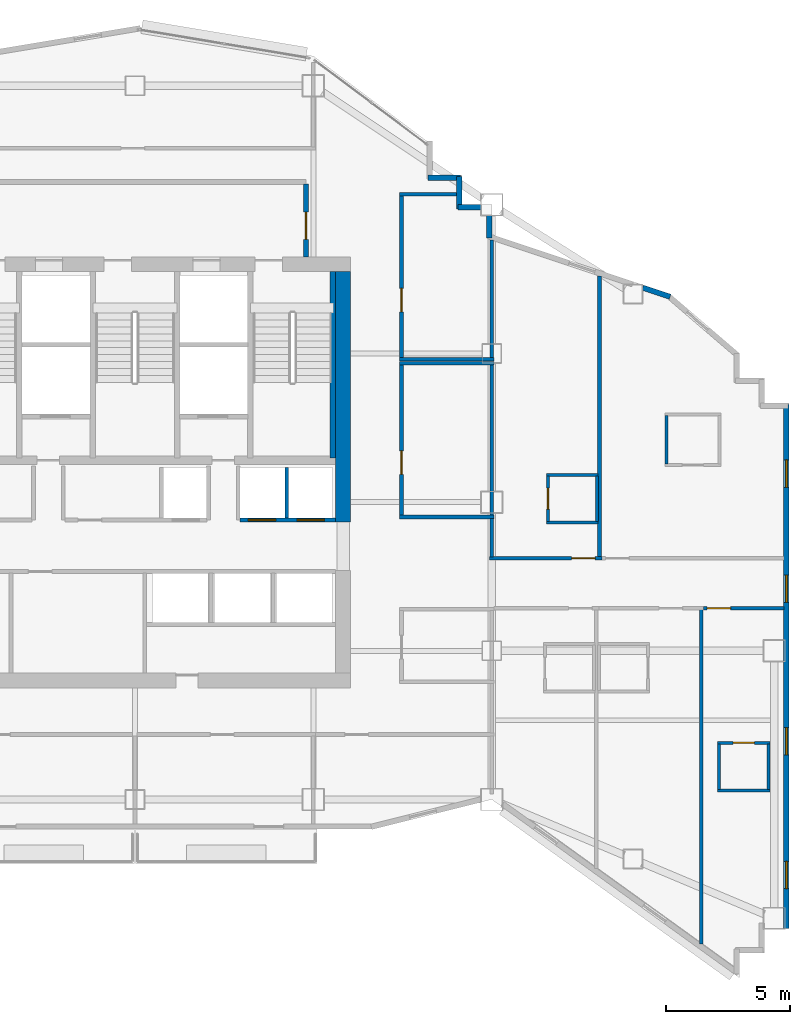
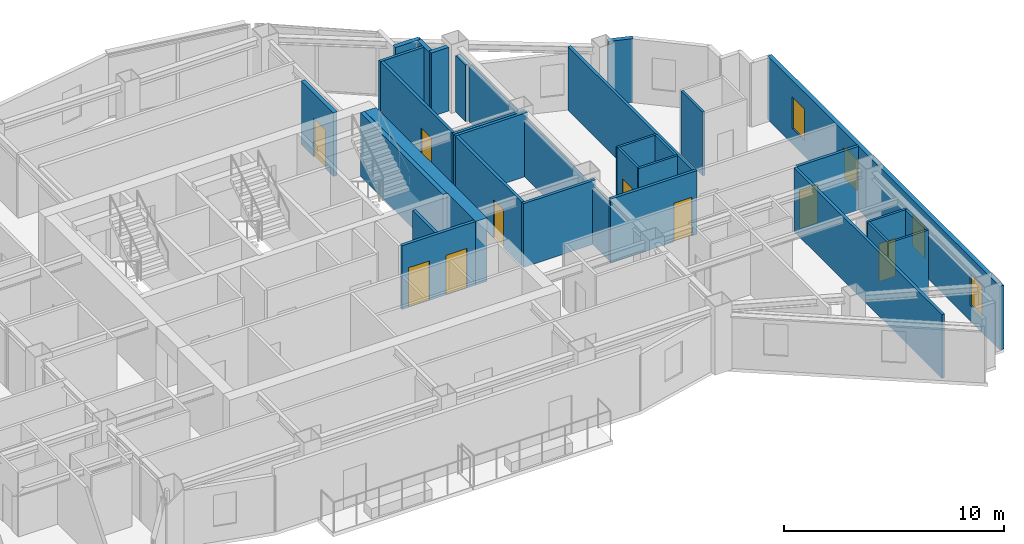
# One storey, part 8 of 12: 33 walls, 9 doors, 4 windows, 13 openings.
"""IFC4 building model written with IfcOpenShell, lengths in metres."""

from ifc_helpers import new_model, si_unit, direction, frame, frame_2d, origin, place, context, subcontext, project, spatial, rectangle, extrude, material, layer, layer_set, type_object, element, fill, save


model = new_model("IFC4")

# Units and contexts
model_context = context("Model", 3, precision=1e-05, world=origin(), true_north=direction((0.0, 1.0)))
body_context = subcontext(model_context, "Body", "Model", "MODEL_VIEW")
ifc_project = project(units=[si_unit("LENGTHUNIT", "METRE"), si_unit("AREAUNIT", "SQUARE_METRE"), si_unit("VOLUMEUNIT", "CUBIC_METRE"), si_unit("PLANEANGLEUNIT", "RADIAN"), si_unit("MASSUNIT", "GRAM", prefix="KILO")], contexts=[model_context])

# Site, building, storey
site_placement = place(None, origin())
site = spatial("IfcSite", under=ifc_project, at=site_placement, CompositionType="ELEMENT")
building_placement = place(site_placement, origin())
building = spatial("IfcBuilding", under=site, at=building_placement, Name="Haolan Belvedere Tower", CompositionType="ELEMENT")
storey_placement = place(building_placement, frame((0.0, 0.0, 203.199951171875)))
storey = spatial("IfcBuildingStorey", under=building, at=storey_placement, Name="L51", CompositionType="ELEMENT", Elevation=203.199951171875)

# Wall
ifc_material_1 = material(Name="Concrete C60/75", Category="concrete")
ifc_layer_1 = layer(ifc_material_1, 0.60009765625, Name="Concrete C60/75")
ifc_layer_set_1 = layer_set([ifc_layer_1], Name="Concrete C60/75")
wall_type_1 = type_object("IfcWallType", Name="WL-CORE-600", PredefinedType="SHEAR", material=ifc_layer_set_1)
wall_1_placement = place(storey_placement, frame((46.800048828125, 32.800048828125, 0.0), z_axis=(0.0, 0.0, 1.0), x_axis=(0.0, 1.0, 0.0)))
element("IfcWall", 1, at=wall_1_placement, inside=storey, type_object=wall_type_1, Name="L51 central core shear wall EN", PredefinedType="SHEAR", context=body_context, shape_type="SweptSolid", body=[
    extrude(rectangle(XDim=10.099853515625, YDim=0.60009765625, at=frame_2d((5.0498046875, 0.0))), origin(), (0.0, 0.0, 1.0), 3.5400390625),
])

# Wall, openings, windows
ifc_material_2 = material(Name="Precast concrete C40/50", Category="concrete")
ifc_layer_2 = layer(ifc_material_2, 0.219970703125, Name="Precast concrete C40/50")
ifc_layer_set_2 = layer_set([ifc_layer_2], Name="Precast concrete C40/50")
wall_type_2 = type_object("IfcWallType", Name="WL-EXT-220", PredefinedType="SOLIDWALL", material=ifc_layer_set_2)
wall_2_placement = place(storey_placement, frame((64.68994140625, 16.39990234375, 0.0), z_axis=(0.0, 0.0, 1.0), x_axis=(0.0, 1.0, 0.0)))
wall_2 = element("IfcWall", 2, at=wall_2_placement, inside=storey, type_object=wall_type_2, Name="L51 pale-metal exterior spandrel wall 8.1", PredefinedType="SOLIDWALL", context=body_context, shape_type="SweptSolid", body=[
    extrude(rectangle(XDim=21.14501953125, YDim=0.219970703125, at=frame_2d((10.572509765625, 0.0))), origin(), (0.0, 0.0, 1.0), 3.5400390625),
])
opening_1_placement = place(wall_2_placement, frame((1.60009765625, 0.0, 0.85009765625)))
opening_1 = element("IfcOpeningElement", 3, at=opening_1_placement, cuts=wall_2, Name="Opening W-03", PredefinedType="OPENING", context=body_context, shape_type="SweptSolid", body=[
    extrude(rectangle(XDim=1.10009765625, YDim=1.75, at=frame_2d((0.550048828125, 0.875))), frame((0.0, 0.119873046875, 0.0), z_axis=(0.0, -1.0, 0.0), x_axis=(1.0, 0.0, 0.0)), (0.0, 0.0, 1.0), 0.239990234375),
])
opening_2_placement = place(wall_2_placement, frame((7.0, 0.0, 0.85009765625)))
opening_2 = element("IfcOpeningElement", 4, at=opening_2_placement, cuts=wall_2, Name="Opening W-03", PredefinedType="OPENING", context=body_context, shape_type="SweptSolid", body=[
    extrude(rectangle(XDim=1.10009765625, YDim=1.75, at=frame_2d((0.550048828125, 0.875))), frame((0.0, 0.119873046875, 0.0), z_axis=(0.0, -1.0, 0.0), x_axis=(1.0, 0.0, 0.0)), (0.0, 0.0, 1.0), 0.239990234375),
])
opening_3_placement = place(wall_2_placement, frame((13.155029296875, 0.0, 0.85009765625)))
opening_3 = element("IfcOpeningElement", 5, at=opening_3_placement, cuts=wall_2, Name="Opening W-03", PredefinedType="OPENING", context=body_context, shape_type="SweptSolid", body=[
    extrude(rectangle(XDim=1.10009765625, YDim=1.75, at=frame_2d((0.550048828125, 0.875))), frame((0.0, 0.119873046875, 0.0), z_axis=(0.0, -1.0, 0.0), x_axis=(1.0, 0.0, 0.0)), (0.0, 0.0, 1.0), 0.239990234375),
])
opening_4_placement = place(wall_2_placement, frame((17.800048828125, 0.0, 0.85009765625)))
opening_4 = element("IfcOpeningElement", 6, at=opening_4_placement, cuts=wall_2, Name="Opening W-03", PredefinedType="OPENING", context=body_context, shape_type="SweptSolid", body=[
    extrude(rectangle(XDim=1.10009765625, YDim=1.75, at=frame_2d((0.550048828125, 0.875))), frame((0.0, 0.119873046875, 0.0), z_axis=(0.0, -1.0, 0.0), x_axis=(1.0, 0.0, 0.0)), (0.0, 0.0, 1.0), 0.239990234375),
])
ifc_material_3 = material(Name="Anodised aluminium 6063-T6 and Low-E glass", Category="aluminium")
window_type = type_object("IfcWindowType", Name="WN-DECO-Z3", PartitioningType="SINGLE_PANEL", PredefinedType="WINDOW", material=ifc_material_3)
window_1_placement = place(opening_1_placement, origin())
window_1 = element("IfcWindow", 7, at=window_1_placement, inside=storey, type_object=window_type, Name="L51 Art Deco chevron window 1", OverallHeight=1.75, OverallWidth=1.10009765625, PartitioningType="SINGLE_PANEL", PredefinedType="WINDOW", context=body_context, shape_type="SweptSolid", body=[
    extrude(rectangle(XDim=1.10009765625, YDim=1.75, at=frame_2d((0.550048828125, 0.875))), frame((0.0, 0.030029296875, 0.0), z_axis=(0.0, -1.0, 0.0), x_axis=(1.0, 0.0, 0.0)), (0.0, 0.0, 1.0), 0.06005859375),
])
fill(opening_1, window_1)
window_2_placement = place(opening_2_placement, origin())
window_2 = element("IfcWindow", 8, at=window_2_placement, inside=storey, type_object=window_type, Name="L51 Art Deco chevron window 2", OverallHeight=1.75, OverallWidth=1.10009765625, PartitioningType="SINGLE_PANEL", PredefinedType="WINDOW", context=body_context, shape_type="SweptSolid", body=[
    extrude(rectangle(XDim=1.10009765625, YDim=1.75, at=frame_2d((0.550048828125, 0.875))), frame((0.0, 0.030029296875, 0.0), z_axis=(0.0, -1.0, 0.0), x_axis=(1.0, 0.0, 0.0)), (0.0, 0.0, 1.0), 0.06005859375),
])
fill(opening_2, window_2)
window_3_placement = place(opening_3_placement, origin())
window_3 = element("IfcWindow", 9, at=window_3_placement, inside=storey, type_object=window_type, Name="L51 Art Deco chevron window 3", OverallHeight=1.75, OverallWidth=1.10009765625, PartitioningType="SINGLE_PANEL", PredefinedType="WINDOW", context=body_context, shape_type="SweptSolid", body=[
    extrude(rectangle(XDim=1.10009765625, YDim=1.75, at=frame_2d((0.550048828125, 0.875))), frame((0.0, 0.030029296875, 0.0), z_axis=(0.0, -1.0, 0.0), x_axis=(1.0, 0.0, 0.0)), (0.0, 0.0, 1.0), 0.06005859375),
])
fill(opening_3, window_3)
window_4_placement = place(opening_4_placement, origin())
window_4 = element("IfcWindow", 10, at=window_4_placement, inside=storey, type_object=window_type, Name="L51 Art Deco chevron window 4", OverallHeight=1.75, OverallWidth=1.10009765625, PartitioningType="SINGLE_PANEL", PredefinedType="WINDOW", context=body_context, shape_type="SweptSolid", body=[
    extrude(rectangle(XDim=1.10009765625, YDim=1.75, at=frame_2d((0.550048828125, 0.875))), frame((0.0, 0.030029296875, 0.0), z_axis=(0.0, -1.0, 0.0), x_axis=(1.0, 0.0, 0.0)), (0.0, 0.0, 1.0), 0.06005859375),
])
fill(opening_4, window_4)

# Walls
wall_3_placement = place(storey_placement, frame((59.9970703125, 41.885009765625, 0.0), z_axis=(0.0, 0.0, 1.0), x_axis=(-0.948662335685, 0.316290646166, 0.0)))
element("IfcWall", 11, at=wall_3_placement, inside=storey, type_object=wall_type_2, Name="L51 pale-metal exterior spandrel wall 14.1", PredefinedType="SOLIDWALL", context=body_context, shape_type="SweptSolid", body=[
    extrude(rectangle(XDim=1.164794921875, YDim=0.219970703125, at=frame_2d((0.58251953125, 0.0))), origin(), (0.0, 0.0, 1.0), 3.5400390625),
])
wall_4_placement = place(storey_placement, frame((52.68994140625, 44.265625, 0.0), z_axis=(0.0, 0.0, 1.0), x_axis=(0.0, 1.0, 0.0)))
element("IfcWall", 12, at=wall_4_placement, inside=storey, type_object=wall_type_2, Name="L51 pale-metal exterior spandrel wall 15.1", PredefinedType="SOLIDWALL", context=body_context, shape_type="SweptSolid", body=[
    extrude(rectangle(XDim=0.892333984375, YDim=0.219970703125, at=frame_2d((0.4462890625, 0.0))), origin(), (0.0, 0.0, 1.0), 3.135009765625),
])
wall_5_placement = place(storey_placement, frame((52.35791015625, 45.489990234375, 0.0), z_axis=(0.0, 0.0, 1.0), x_axis=(-1.0, 0.0, 0.0)))
element("IfcWall", 13, at=wall_5_placement, inside=storey, type_object=wall_type_2, Name="L51 pale-metal exterior spandrel wall 16.1", PredefinedType="SOLIDWALL", context=body_context, shape_type="SweptSolid", body=[
    extrude(rectangle(XDim=0.9228515625, YDim=0.219970703125, at=frame_2d((0.46142578125, 0.0))), origin(), (0.0, 0.0, 1.0), 3.5400390625),
])
wall_6_placement = place(storey_placement, frame((51.489990234375, 45.43505859375, 0.0), z_axis=(0.0, 0.0, 1.0), x_axis=(0.0, 1.0, 0.0)))
element("IfcWall", 14, at=wall_6_placement, inside=storey, type_object=wall_type_2, Name="L51 pale-metal exterior spandrel wall 17.1", PredefinedType="SOLIDWALL", context=body_context, shape_type="SweptSolid", body=[
    extrude(rectangle(XDim=1.31005859375, YDim=0.219970703125, at=frame_2d((0.655029296875, 0.0))), origin(), (0.0, 0.0, 1.0), 3.5400390625),
])
wall_7_placement = place(storey_placement, frame((51.544921875, 46.68994140625, 0.0), z_axis=(0.0, 0.0, 1.0), x_axis=(-1.0, 0.0, 0.0)))
element("IfcWall", 15, at=wall_7_placement, inside=storey, type_object=wall_type_2, Name="L51 pale-metal exterior spandrel wall 18.1", PredefinedType="SOLIDWALL", context=body_context, shape_type="SweptSolid", body=[
    extrude(rectangle(XDim=1.309814453125, YDim=0.219970703125, at=frame_2d((0.65478515625, 0.0))), origin(), (0.0, 0.0, 1.0), 3.5400390625),
])

# Wall, opening, door
ifc_material_4 = material(Name="Concrete C40/50", Category="concrete")
ifc_layer_3 = layer(ifc_material_4, 0.199951171875, Name="Concrete C40/50")
ifc_layer_set_3 = layer_set([ifc_layer_3], Name="Concrete C40/50")
wall_type_3 = type_object("IfcWallType", Name="WL-FIRE-200", PredefinedType="SOLIDWALL", material=ifc_layer_set_3)
wall_8_placement = place(storey_placement, frame((45.300048828125, 43.5, 0.0), z_axis=(0.0, 0.0, 1.0), x_axis=(0.0, 1.0, 0.0)))
wall_8 = element("IfcWall", 16, at=wall_8_placement, inside=storey, type_object=wall_type_3, Name="L51 interior partition IW-L51-FFL-E", PredefinedType="SOLIDWALL", context=body_context, shape_type="SweptSolid", body=[
    extrude(rectangle(XDim=2.93505859375, YDim=0.199951171875, at=frame_2d((1.467529296875, 0.0))), origin(), (0.0, 0.0, 1.0), 3.5400390625),
])
opening_5_placement = place(wall_8_placement, frame((0.699951171875, 0.0, 0.0)))
opening_5 = element("IfcOpeningElement", 17, at=opening_5_placement, cuts=wall_8, Name="Opening FD-03", PredefinedType="OPENING", context=body_context, shape_type="SweptSolid", body=[
    extrude(rectangle(XDim=1.10009765625, YDim=2.14990234375, at=frame_2d((0.550048828125, 1.074951171875))), frame((0.0, 0.10986328125, 0.0), z_axis=(0.0, -1.0, 0.0), x_axis=(1.0, 0.0, 0.0)), (0.0, 0.0, 1.0), 0.219970703125),
])
ifc_material_5 = material(Name="Galvanised fire-rated steel", Category="steel")
door_type_1 = type_object("IfcDoorType", Name="DR-FD90-1100", OperationType="NOTDEFINED", PredefinedType="DOOR", material=ifc_material_5)
door_1_placement = place(opening_5_placement, origin())
door_1 = element("IfcDoor", 18, at=door_1_placement, inside=storey, type_object=door_type_1, Name="L51 door ID-L51-FFL-DE", OperationType="SINGLE_SWING_RIGHT", OverallHeight=2.14990234375, OverallWidth=1.10009765625, PredefinedType="DOOR", context=body_context, shape_type="SweptSolid", body=[
    extrude(rectangle(XDim=1.10009765625, YDim=2.14990234375, at=frame_2d((0.550048828125, 1.074951171875))), frame((0.0, 0.02490234375, 0.0), z_axis=(0.0, -1.0, 0.0), x_axis=(1.0, 0.0, 0.0)), (0.0, 0.0, 1.0), 0.050048828125),
])
fill(opening_5, door_1)

# Walls
ifc_material_6 = material(Name="Double gypsum acoustic stud partition", Category="masonry")
ifc_layer_4 = layer(ifc_material_6, 0.14990234375, Name="Double gypsum acoustic stud partition")
ifc_layer_set_4 = layer_set([ifc_layer_4], Name="Double gypsum acoustic stud partition")
wall_type_4 = type_object("IfcWallType", Name="WL-PART-150", PredefinedType="PARTITIONING", material=ifc_layer_set_4)
for number, where, z_axis, x_axis, name in (
    (19, (49.080078125, 39.199951171875, 0.0), (0.0, 0.0, 1.0), (1.0, 0.0, 0.0), "L51 interior partition IW-L51-HSK-N"),
    (20, (49.080078125, 33.0, 0.0), (0.0, 0.0, 1.0), (1.0, 0.0, 0.0), "L51 interior partition IW-L51-HSK-S"),
):
    element("IfcWall", number, at=place(storey_placement, frame(where, z_axis=z_axis, x_axis=x_axis)), inside=storey, type_object=wall_type_4, Name=name, PredefinedType="PARTITIONING", context=body_context, shape_type="SweptSolid", body=[
        extrude(rectangle(XDim=3.7998046875, YDim=0.14990234375, at=frame_2d((1.89990234375, 0.0))), origin(), (0.0, 0.0, 1.0), 3.5400390625),
    ])

# Wall, opening, door
wall_9_placement = place(storey_placement, frame((49.159912109375, 33.06005859375, 0.0), z_axis=(0.0, 0.0, 1.0), x_axis=(0.0, 1.0, 0.0)))
wall_9 = element("IfcWall", 21, at=wall_9_placement, inside=storey, type_object=wall_type_4, Name="L51 interior partition IW-L51-HSK-W", PredefinedType="PARTITIONING", context=body_context, shape_type="SweptSolid", body=[
    extrude(rectangle(XDim=6.079833984375, YDim=0.14990234375, at=frame_2d((3.0400390625, 0.0))), origin(), (0.0, 0.0, 1.0), 3.5400390625),
])
opening_6_placement = place(wall_9_placement, frame((1.659912109375, 0.0, 0.0)))
opening_6 = element("IfcOpeningElement", 22, at=opening_6_placement, cuts=wall_9, Name="Opening ID-03", PredefinedType="OPENING", context=body_context, shape_type="SweptSolid", body=[
    extrude(rectangle(XDim=0.949951171875, YDim=2.1201171875, at=frame_2d((0.47509765625, 1.06005859375))), frame((0.0, 0.0849609375, 0.0), z_axis=(0.0, -1.0, 0.0), x_axis=(1.0, 0.0, 0.0)), (0.0, 0.0, 1.0), 0.169921875),
])
ifc_material_7 = material(Name="Painted solid-core timber", Category="wood")
door_type_2 = type_object("IfcDoorType", Name="DR-INT-950", OperationType="NOTDEFINED", PredefinedType="DOOR", material=ifc_material_7)
door_2_placement = place(opening_6_placement, origin())
door_2 = element("IfcDoor", 23, at=door_2_placement, inside=storey, type_object=door_type_2, Name="L51 door ID-L51-HSK", OperationType="SINGLE_SWING_RIGHT", OverallHeight=2.1201171875, OverallWidth=0.949951171875, PredefinedType="DOOR", context=body_context, shape_type="SweptSolid", body=[
    extrude(rectangle(XDim=0.949951171875, YDim=2.1201171875, at=frame_2d((0.47509765625, 1.06005859375))), frame((0.0, 0.02490234375, 0.0), z_axis=(0.0, -1.0, 0.0), x_axis=(1.0, 0.0, 0.0)), (0.0, 0.0, 1.0), 0.050048828125),
])
fill(opening_6, door_2)

# Walls
wall_10_placement = place(storey_placement, frame((52.800048828125, 33.06005859375, 0.0), z_axis=(0.0, 0.0, 1.0), x_axis=(0.0, 1.0, 0.0)))
element("IfcWall", 24, at=wall_10_placement, inside=storey, type_object=wall_type_4, Name="L51 interior partition IW-L51-HSK-E", PredefinedType="PARTITIONING", context=body_context, shape_type="SweptSolid", body=[
    extrude(rectangle(XDim=6.079833984375, YDim=0.14990234375, at=frame_2d((3.0400390625, 0.0))), origin(), (0.0, 0.0, 1.0), 3.135009765625),
])
wall_11_placement = place(storey_placement, frame((49.080078125, 46.02001953125, 0.0), z_axis=(0.0, 0.0, 1.0), x_axis=(1.0, 0.0, 0.0)))
element("IfcWall", 25, at=wall_11_placement, inside=storey, type_object=wall_type_4, Name="L51 interior partition IW-L51-MTG-N", PredefinedType="PARTITIONING", context=body_context, shape_type="SweptSolid", body=[
    extrude(rectangle(XDim=2.307861328125, YDim=0.14990234375, at=frame_2d((1.15380859375, 0.0))), origin(), (0.0, 0.0, 1.0), 3.5400390625),
])
wall_12_placement = place(storey_placement, frame((49.080078125, 39.360107421875, 0.0), z_axis=(0.0, 0.0, 1.0), x_axis=(1.0, 0.0, 0.0)))
element("IfcWall", 26, at=wall_12_placement, inside=storey, type_object=wall_type_4, Name="L51 interior partition IW-L51-MTG-S", PredefinedType="PARTITIONING", context=body_context, shape_type="SweptSolid", body=[
    extrude(rectangle(XDim=3.7998046875, YDim=0.14990234375, at=frame_2d((1.89990234375, 0.0))), origin(), (0.0, 0.0, 1.0), 3.5400390625),
])

# Wall, opening, door
wall_13_placement = place(storey_placement, frame((49.159912109375, 39.419921875, 0.0), z_axis=(0.0, 0.0, 1.0), x_axis=(0.0, 1.0, 0.0)))
wall_13 = element("IfcWall", 27, at=wall_13_placement, inside=storey, type_object=wall_type_4, Name="L51 interior partition IW-L51-MTG-W", PredefinedType="PARTITIONING", context=body_context, shape_type="SweptSolid", body=[
    extrude(rectangle(XDim=6.5400390625, YDim=0.14990234375, at=frame_2d((3.27001953125, 0.0))), origin(), (0.0, 0.0, 1.0), 3.5400390625),
])
opening_7_placement = place(wall_13_placement, frame((1.860107421875, 0.0, 0.0)))
opening_7 = element("IfcOpeningElement", 28, at=opening_7_placement, cuts=wall_13, Name="Opening ID-03", PredefinedType="OPENING", context=body_context, shape_type="SweptSolid", body=[
    extrude(rectangle(XDim=0.949951171875, YDim=2.1201171875, at=frame_2d((0.47509765625, 1.06005859375))), frame((0.0, 0.0849609375, 0.0), z_axis=(0.0, -1.0, 0.0), x_axis=(1.0, 0.0, 0.0)), (0.0, 0.0, 1.0), 0.169921875),
])
door_3_placement = place(opening_7_placement, origin())
door_3 = element("IfcDoor", 29, at=door_3_placement, inside=storey, type_object=door_type_2, Name="L51 door ID-L51-MTG", OperationType="SINGLE_SWING_LEFT", OverallHeight=2.1201171875, OverallWidth=0.949951171875, PredefinedType="DOOR", context=body_context, shape_type="SweptSolid", body=[
    extrude(rectangle(XDim=0.949951171875, YDim=2.1201171875, at=frame_2d((0.47509765625, 1.06005859375))), frame((0.0, 0.02490234375, 0.0), z_axis=(0.0, -1.0, 0.0), x_axis=(1.0, 0.0, 0.0)), (0.0, 0.0, 1.0), 0.050048828125),
])
fill(opening_7, door_3)

# Wall
wall_14_placement = place(storey_placement, frame((52.800048828125, 39.419921875, 0.0), z_axis=(0.0, 0.0, 1.0), x_axis=(0.0, 1.0, 0.0)))
element("IfcWall", 30, at=wall_14_placement, inside=storey, type_object=wall_type_4, Name="L51 interior partition IW-L51-MTG-E", PredefinedType="PARTITIONING", context=body_context, shape_type="SweptSolid", body=[
    extrude(rectangle(XDim=4.756591796875, YDim=0.14990234375, at=frame_2d((2.37841796875, 0.0))), origin(), (0.0, 0.0, 1.0), 3.135009765625),
])

# Wall, opening, door
wall_15_placement = place(storey_placement, frame((52.699951171875, 31.330078125, 0.0), z_axis=(0.0, 0.0, 1.0), x_axis=(1.0, 0.0, 0.0)))
wall_15 = element("IfcWall", 31, at=wall_15_placement, inside=storey, type_object=wall_type_4, Name="L51 interior partition IW-L51-T4N1-S", PredefinedType="PARTITIONING", context=body_context, shape_type="SweptSolid", body=[
    extrude(rectangle(XDim=4.550048828125, YDim=0.14990234375, at=frame_2d((2.27490234375, 0.0))), origin(), (0.0, 0.0, 1.0), 3.5400390625),
])
opening_8_placement = place(wall_15_placement, frame((3.322998046875, 0.0, 0.0)))
opening_8 = element("IfcOpeningElement", 32, at=opening_8_placement, cuts=wall_15, Name="Opening ID-02", PredefinedType="OPENING", context=body_context, shape_type="SweptSolid", body=[
    extrude(rectangle(XDim=0.949951171875, YDim=2.14990234375, at=frame_2d((0.47509765625, 1.074951171875))), frame((0.0, 0.0849609375, 0.0), z_axis=(0.0, -1.0, 0.0), x_axis=(1.0, 0.0, 0.0)), (0.0, 0.0, 1.0), 0.169921875),
])
ifc_material_8 = material(Name="Acoustic oak veneer fire-rated timber", Category="wood")
door_type_3 = type_object("IfcDoorType", Name="DR-GUEST-950", OperationType="NOTDEFINED", PredefinedType="DOOR", material=ifc_material_8)
door_4_placement = place(opening_8_placement, origin())
door_4 = element("IfcDoor", 33, at=door_4_placement, inside=storey, type_object=door_type_3, Name="L51 door ID-L51-T4N1-ENT", OperationType="SINGLE_SWING_RIGHT", OverallHeight=2.14990234375, OverallWidth=0.949951171875, PredefinedType="DOOR", context=body_context, shape_type="SweptSolid", body=[
    extrude(rectangle(XDim=0.949951171875, YDim=2.14990234375, at=frame_2d((0.47509765625, 1.074951171875))), frame((0.0, 0.02490234375, 0.0), z_axis=(0.0, -1.0, 0.0), x_axis=(1.0, 0.0, 0.0)), (0.0, 0.0, 1.0), 0.050048828125),
])
fill(opening_8, door_4)

# Walls
wall_16_placement = place(storey_placement, frame((52.800048828125, 31.389892578125, 0.0), z_axis=(0.0, 0.0, 1.0), x_axis=(0.0, 1.0, 0.0)))
element("IfcWall", 34, at=wall_16_placement, inside=storey, type_object=wall_type_4, Name="L51 interior partition IW-L51-T4N1-W", PredefinedType="PARTITIONING", context=body_context, shape_type="SweptSolid", body=[
    extrude(rectangle(XDim=1.550048828125, YDim=0.14990234375, at=frame_2d((0.77490234375, 0.0))), origin(), (0.0, 0.0, 1.0), 3.135009765625),
])
wall_17_placement = place(storey_placement, frame((57.14990234375, 31.389892578125, 0.0), z_axis=(0.0, 0.0, 1.0), x_axis=(0.0, 1.0, 0.0)))
element("IfcWall", 35, at=wall_17_placement, inside=storey, type_object=wall_type_4, Name="L51 interior partition IW-L51-T4N1-E", PredefinedType="PARTITIONING", context=body_context, shape_type="SweptSolid", body=[
    extrude(rectangle(XDim=11.336669921875, YDim=0.14990234375, at=frame_2d((5.66845703125, 0.0))), origin(), (0.0, 0.0, 1.0), 3.5400390625),
])
wall_18_placement = place(storey_placement, frame((61.25, 15.777099609375, 0.0), z_axis=(0.0, 0.0, 1.0), x_axis=(0.0, 1.0, 0.0)))
element("IfcWall", 36, at=wall_18_placement, inside=storey, type_object=wall_type_4, Name="L51 interior partition IW-L51-T4S2-E", PredefinedType="PARTITIONING", context=body_context, shape_type="SweptSolid", body=[
    extrude(rectangle(XDim=13.48291015625, YDim=0.14990234375, at=frame_2d((6.741455078125, 0.0))), origin(), (0.0, 0.0, 1.0), 3.5400390625),
])

# Wall, opening, door
wall_19_placement = place(storey_placement, frame((61.35205078125, 29.320068359375, 0.0), z_axis=(0.0, 0.0, 1.0), x_axis=(1.0, 0.0, 0.0)))
wall_19 = element("IfcWall", 37, at=wall_19_placement, inside=storey, type_object=wall_type_4, Name="L51 interior partition IW-L51-T4S3-N", PredefinedType="PARTITIONING", context=body_context, shape_type="SweptSolid", body=[
    extrude(rectangle(XDim=3.23583984375, YDim=0.14990234375, at=frame_2d((1.617919921875, 0.0))), origin(), (0.0, 0.0, 1.0), 3.5400390625),
])
opening_9_placement = place(wall_19_placement, frame((1.08984375, 0.0, 0.0), z_axis=(0.0, 0.0, 1.0), x_axis=(-1.0, 0.0, 0.0)))
opening_9 = element("IfcOpeningElement", 38, at=opening_9_placement, cuts=wall_19, Name="Opening ID-02", PredefinedType="OPENING", context=body_context, shape_type="SweptSolid", body=[
    extrude(rectangle(XDim=0.949951171875, YDim=2.14990234375, at=frame_2d((0.47509765625, 1.074951171875))), frame((0.0, 0.0849609375, 0.0), z_axis=(0.0, -1.0, 0.0), x_axis=(1.0, 0.0, 0.0)), (0.0, 0.0, 1.0), 0.169921875),
])
door_5_placement = place(opening_9_placement, origin())
door_5 = element("IfcDoor", 39, at=door_5_placement, inside=storey, type_object=door_type_3, Name="L51 door ID-L51-T4S3-ENT", OperationType="SINGLE_SWING_RIGHT", OverallHeight=2.14990234375, OverallWidth=0.949951171875, PredefinedType="DOOR", context=body_context, shape_type="SweptSolid", body=[
    extrude(rectangle(XDim=0.949951171875, YDim=2.14990234375, at=frame_2d((0.47509765625, 1.074951171875))), frame((0.0, 0.02490234375, 0.0), z_axis=(0.0, -1.0, 0.0), x_axis=(1.0, 0.0, 0.0)), (0.0, 0.0, 1.0), 0.050048828125),
])
fill(opening_9, door_5)

# Wall, openings, doors
ifc_material_9 = material(Name="Gypsum fire shaftwall assembly", Category="masonry")
ifc_layer_5 = layer(ifc_material_9, 0.1650390625, Name="Gypsum fire shaftwall assembly")
ifc_layer_set_5 = layer_set([ifc_layer_5], Name="Gypsum fire shaftwall assembly")
wall_type_5 = type_object("IfcWallType", Name="WL-SHAFT-160", PredefinedType="SOLIDWALL", material=ifc_layer_set_5)
wall_20_placement = place(storey_placement, frame((42.6298828125, 32.8798828125, 0.0), z_axis=(0.0, 0.0, 1.0), x_axis=(1.0, 0.0, 0.0)))
wall_20 = element("IfcWall", 40, at=wall_20_placement, inside=storey, type_object=wall_type_5, Name="L51 interior partition IW-L51-ROW-PN3", PredefinedType="SOLIDWALL", context=body_context, shape_type="SweptSolid", body=[
    extrude(rectangle(XDim=3.8701171875, YDim=0.159912109375, at=frame_2d((1.93505859375, 0.0))), origin(), (0.0, 0.0, 1.0), 3.5400390625),
])
opening_10_placement = place(wall_20_placement, frame((1.4501953125, 0.0, 0.0), z_axis=(0.0, 0.0, 1.0), x_axis=(-1.0, 0.0, 0.0)))
opening_10 = element("IfcOpeningElement", 41, at=opening_10_placement, cuts=wall_20, Name="Opening LD-01", PredefinedType="OPENING", context=body_context, shape_type="SweptSolid", body=[
    extrude(rectangle(XDim=1.10009765625, YDim=2.199951171875, at=frame_2d((0.550048828125, 1.10009765625))), frame((0.0, 0.08984375, 0.0), z_axis=(0.0, -1.0, 0.0), x_axis=(1.0, 0.0, 0.0)), (0.0, 0.0, 1.0), 0.179931640625),
])
opening_11_placement = place(wall_20_placement, frame((3.41015625, 0.0, 0.0), z_axis=(0.0, 0.0, 1.0), x_axis=(-1.0, 0.0, 0.0)))
opening_11 = element("IfcOpeningElement", 42, at=opening_11_placement, cuts=wall_20, Name="Opening LD-01", PredefinedType="OPENING", context=body_context, shape_type="SweptSolid", body=[
    extrude(rectangle(XDim=1.10009765625, YDim=2.199951171875, at=frame_2d((0.550048828125, 1.10009765625))), frame((0.0, 0.08984375, 0.0), z_axis=(0.0, -1.0, 0.0), x_axis=(1.0, 0.0, 0.0)), (0.0, 0.0, 1.0), 0.179931640625),
])
ifc_material_10 = material(Name="Brushed champagne stainless steel 316L", Category="steel")
door_type_4 = type_object("IfcDoorType", Name="DR-LIFT-1100", OperationType="SLIDING_TO_LEFT", PredefinedType="DOOR", material=ifc_material_10)
door_6_placement = place(opening_10_placement, origin())
door_6 = element("IfcDoor", 43, at=door_6_placement, inside=storey, type_object=door_type_4, Name="L51 door ID-L51-LD-PH2", OperationType="SLIDING_TO_RIGHT", OverallHeight=2.199951171875, OverallWidth=1.10009765625, PredefinedType="DOOR", context=body_context, shape_type="SweptSolid", body=[
    extrude(rectangle(XDim=1.10009765625, YDim=2.199951171875, at=frame_2d((0.550048828125, 1.10009765625))), frame((0.0, 0.02490234375, 0.0), z_axis=(0.0, -1.0, 0.0), x_axis=(1.0, 0.0, 0.0)), (0.0, 0.0, 1.0), 0.050048828125),
])
fill(opening_10, door_6)
door_7_placement = place(opening_11_placement, origin())
door_7 = element("IfcDoor", 44, at=door_7_placement, inside=storey, type_object=door_type_4, Name="L51 door ID-L51-LD-PH3", OperationType="SLIDING_TO_RIGHT", OverallHeight=2.199951171875, OverallWidth=1.10009765625, PredefinedType="DOOR", context=body_context, shape_type="SweptSolid", body=[
    extrude(rectangle(XDim=1.10009765625, YDim=2.199951171875, at=frame_2d((0.550048828125, 1.10009765625))), frame((0.0, 0.02490234375, 0.0), z_axis=(0.0, -1.0, 0.0), x_axis=(1.0, 0.0, 0.0)), (0.0, 0.0, 1.0), 0.050048828125),
])
fill(opening_11, door_7)

# Walls
wall_21_placement = place(storey_placement, frame((44.530029296875, 32.949951171875, 0.0), z_axis=(0.0, 0.0, 1.0), x_axis=(0.0, 1.0, 0.0)))
element("IfcWall", 45, at=wall_21_placement, inside=storey, type_object=wall_type_5, Name="L51 interior partition IW-L51-DIV-PH2", PredefinedType="SOLIDWALL", context=body_context, shape_type="SweptSolid", body=[
    extrude(rectangle(XDim=2.050048828125, YDim=0.14990234375, at=frame_2d((1.02490234375, 0.0))), origin(), (0.0, 0.0, 1.0), 3.5400390625),
])
ifc_material_11 = material(Name="Concrete C50/60", Category="concrete")
ifc_layer_6 = layer(ifc_material_11, 0.219970703125, Name="Concrete C50/60")
ifc_layer_set_6 = layer_set([ifc_layer_6], Name="Concrete C50/60")
wall_type_6 = type_object("IfcWallType", Name="WL-STAIR-220", PredefinedType="SHEAR", material=ifc_layer_set_6)
wall_22_placement = place(storey_placement, frame((46.387939453125, 35.389892578125, 0.0), z_axis=(0.0, 0.0, 1.0), x_axis=(0.0, 1.0, 0.0)))
element("IfcWall", 46, at=wall_22_placement, inside=storey, type_object=wall_type_6, Name="L51 structural stair core wall ST2E", PredefinedType="SHEAR", context=body_context, shape_type="SweptSolid", body=[
    extrude(rectangle(XDim=7.510009765625, YDim=0.219970703125, at=frame_2d((3.7548828125, 0.0))), origin(), (0.0, 0.0, 1.0), 3.5400390625),
])
ifc_material_12 = material(Name="Moisture-resistant gypsum tile partition", Category="masonry")
ifc_layer_7 = layer(ifc_material_12, 0.1201171875, Name="Moisture-resistant gypsum tile partition")
ifc_layer_set_7 = layer_set([ifc_layer_7], Name="Moisture-resistant gypsum tile partition")
wall_type_7 = type_object("IfcWallType", Name="WL-WET-120", PredefinedType="PARTITIONING", material=ifc_layer_set_7)
for number, where, z_axis, x_axis, name in (
    (47, (55.010009765625, 34.699951171875, 0.0), (0.0, 0.0, 1.0), (1.0, 0.0, 0.0), "L51 interior partition IW-L51-T4N1-BN"),
    (48, (55.010009765625, 32.780029296875, 0.0), (0.0, 0.0, 1.0), (1.0, 0.0, 0.0), "L51 interior partition IW-L51-T4N1-BS"),
):
    element("IfcWall", number, at=place(storey_placement, frame(where, z_axis=z_axis, x_axis=x_axis)), inside=storey, type_object=wall_type_7, Name=name, PredefinedType="PARTITIONING", context=body_context, shape_type="SweptSolid", body=[
        extrude(rectangle(XDim=2.080078125, YDim=0.1201171875, at=frame_2d((1.0400390625, 0.0))), origin(), (0.0, 0.0, 1.0), 3.5400390625),
    ])

# Wall, opening, door
wall_23_placement = place(storey_placement, frame((55.070068359375, 32.824951171875, 0.0), z_axis=(0.0, 0.0, 1.0), x_axis=(0.0, 1.0, 0.0)))
wall_23 = element("IfcWall", 49, at=wall_23_placement, inside=storey, type_object=wall_type_7, Name="L51 interior partition IW-L51-T4N1-BW", PredefinedType="PARTITIONING", context=body_context, shape_type="SweptSolid", body=[
    extrude(rectangle(XDim=1.830078125, YDim=0.1201171875, at=frame_2d((0.9150390625, 0.0))), origin(), (0.0, 0.0, 1.0), 3.5400390625),
])
opening_12_placement = place(wall_23_placement, frame((1.340087890625, 0.0, 0.0), z_axis=(0.0, 0.0, 1.0), x_axis=(-1.0, 0.0, 0.0)))
opening_12 = element("IfcOpeningElement", 50, at=opening_12_placement, cuts=wall_23, Name="Opening ID-05", PredefinedType="OPENING", context=body_context, shape_type="SweptSolid", body=[
    extrude(rectangle(XDim=0.85009765625, YDim=2.10009765625, at=frame_2d((0.425048828125, 1.050048828125))), frame((0.0, 0.070068359375, 0.0), z_axis=(0.0, -1.0, 0.0), x_axis=(1.0, 0.0, 0.0)), (0.0, 0.0, 1.0), 0.14013671875),
])
ifc_material_13 = material(Name="Moisture-resistant lacquered timber", Category="wood")
door_type_5 = type_object("IfcDoorType", Name="DR-BATH-850", OperationType="NOTDEFINED", PredefinedType="DOOR", material=ifc_material_13)
door_8_placement = place(opening_12_placement, origin())
door_8 = element("IfcDoor", 51, at=door_8_placement, inside=storey, type_object=door_type_5, Name="L51 door ID-L51-T4N1-BATH", OperationType="SINGLE_SWING_LEFT", OverallHeight=2.10009765625, OverallWidth=0.85009765625, PredefinedType="DOOR", context=body_context, shape_type="SweptSolid", body=[
    extrude(rectangle(XDim=0.85009765625, YDim=2.10009765625, at=frame_2d((0.425048828125, 1.050048828125))), frame((0.0, 0.02490234375, 0.0), z_axis=(0.0, -1.0, 0.0), x_axis=(1.0, 0.0, 0.0)), (0.0, 0.0, 1.0), 0.050048828125),
])
fill(opening_12, door_8)

# Walls
wall_24_placement = place(storey_placement, frame((57.050048828125, 32.824951171875, 0.0), z_axis=(0.0, 0.0, 1.0), x_axis=(0.0, 1.0, 0.0)))
element("IfcWall", 52, at=wall_24_placement, inside=storey, type_object=wall_type_7, Name="L51 interior partition IW-L51-T4N1-BE", PredefinedType="PARTITIONING", context=body_context, shape_type="SweptSolid", body=[
    extrude(rectangle(XDim=1.830078125, YDim=0.1201171875, at=frame_2d((0.9150390625, 0.0))), origin(), (0.0, 0.0, 1.0), 3.5400390625),
])
wall_25_placement = place(storey_placement, frame((59.843017578125, 35.139892578125, 0.0), z_axis=(0.0, 0.0, 1.0), x_axis=(0.0, 1.0, 0.0)))
element("IfcWall", 53, at=wall_25_placement, inside=storey, type_object=wall_type_7, Name="L51 interior partition IW-L51-T4N2-BW", PredefinedType="PARTITIONING", context=body_context, shape_type="SweptSolid", body=[
    extrude(rectangle(XDim=1.960205078125, YDim=0.1201171875, at=frame_2d((0.97998046875, 0.0))), origin(), (0.0, 0.0, 1.0), 3.5400390625),
])

# Wall, opening, door
wall_26_placement = place(storey_placement, frame((61.9169921875, 23.885009765625, 0.0), z_axis=(0.0, 0.0, 1.0), x_axis=(1.0, 0.0, 0.0)))
wall_26 = element("IfcWall", 54, at=wall_26_placement, inside=storey, type_object=wall_type_7, Name="L51 interior partition IW-L51-T4S3-BN", PredefinedType="PARTITIONING", context=body_context, shape_type="SweptSolid", body=[
    extrude(rectangle(XDim=2.10009765625, YDim=0.1201171875, at=frame_2d((1.050048828125, 0.0))), origin(), (0.0, 0.0, 1.0), 3.5400390625),
])
opening_13_placement = place(wall_26_placement, frame((1.47509765625, 0.0, 0.0), z_axis=(0.0, 0.0, 1.0), x_axis=(-1.0, 0.0, 0.0)))
opening_13 = element("IfcOpeningElement", 55, at=opening_13_placement, cuts=wall_26, Name="Opening ID-05", PredefinedType="OPENING", context=body_context, shape_type="SweptSolid", body=[
    extrude(rectangle(XDim=0.85009765625, YDim=2.10009765625, at=frame_2d((0.425048828125, 1.050048828125))), frame((0.0, 0.070068359375, 0.0), z_axis=(0.0, -1.0, 0.0), x_axis=(1.0, 0.0, 0.0)), (0.0, 0.0, 1.0), 0.14013671875),
])
door_9_placement = place(opening_13_placement, origin())
door_9 = element("IfcDoor", 56, at=door_9_placement, inside=storey, type_object=door_type_5, Name="L51 door ID-L51-T4S3-BATH", OperationType="SINGLE_SWING_LEFT", OverallHeight=2.10009765625, OverallWidth=0.85009765625, PredefinedType="DOOR", context=body_context, shape_type="SweptSolid", body=[
    extrude(rectangle(XDim=0.85009765625, YDim=2.10009765625, at=frame_2d((0.425048828125, 1.050048828125))), frame((0.0, 0.02490234375, 0.0), z_axis=(0.0, -1.0, 0.0), x_axis=(1.0, 0.0, 0.0)), (0.0, 0.0, 1.0), 0.050048828125),
])
fill(opening_13, door_9)

# Walls
wall_27_placement = place(storey_placement, frame((61.9169921875, 21.965087890625, 0.0), z_axis=(0.0, 0.0, 1.0), x_axis=(1.0, 0.0, 0.0)))
element("IfcWall", 57, at=wall_27_placement, inside=storey, type_object=wall_type_7, Name="L51 interior partition IW-L51-T4S3-BS", PredefinedType="PARTITIONING", context=body_context, shape_type="SweptSolid", body=[
    extrude(rectangle(XDim=2.10009765625, YDim=0.1201171875, at=frame_2d((1.050048828125, 0.0))), origin(), (0.0, 0.0, 1.0), 3.5400390625),
])
for number, where, z_axis, x_axis, name in (
    (58, (61.97705078125, 22.010009765625, 0.0), (0.0, 0.0, 1.0), (0.0, 1.0, 0.0), "L51 interior partition IW-L51-T4S3-BW"),
    (59, (63.95703125, 22.010009765625, 0.0), (0.0, 0.0, 1.0), (0.0, 1.0, 0.0), "L51 interior partition IW-L51-T4S3-BE"),
):
    element("IfcWall", number, at=place(storey_placement, frame(where, z_axis=z_axis, x_axis=x_axis)), inside=storey, type_object=wall_type_7, Name=name, PredefinedType="PARTITIONING", context=body_context, shape_type="SweptSolid", body=[
        extrude(rectangle(XDim=1.830078125, YDim=0.1201171875, at=frame_2d((0.9150390625, 0.0))), origin(), (0.0, 0.0, 1.0), 3.5400390625),
    ])

save(model, "model.ifc")
